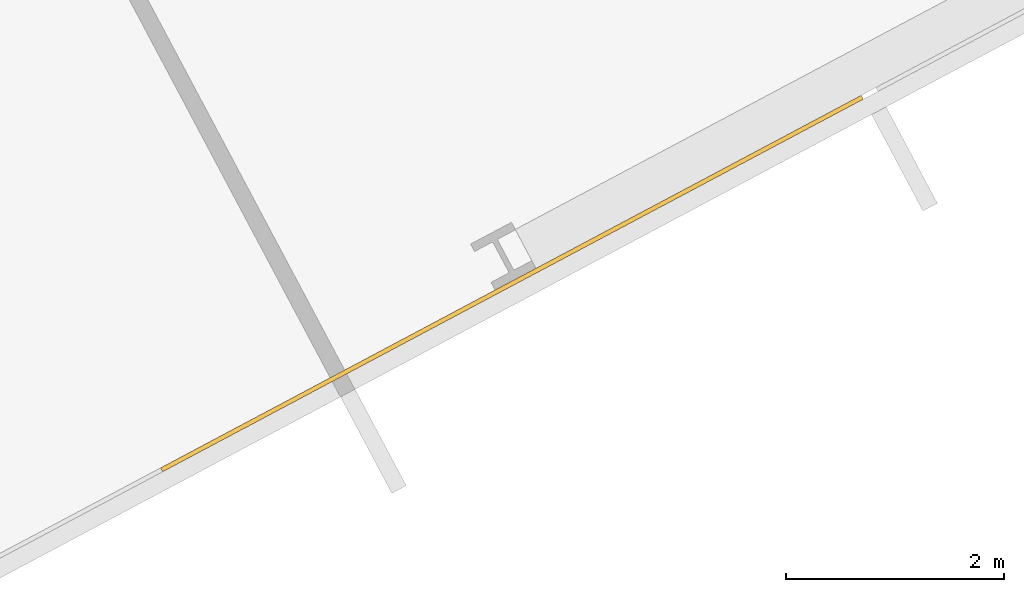
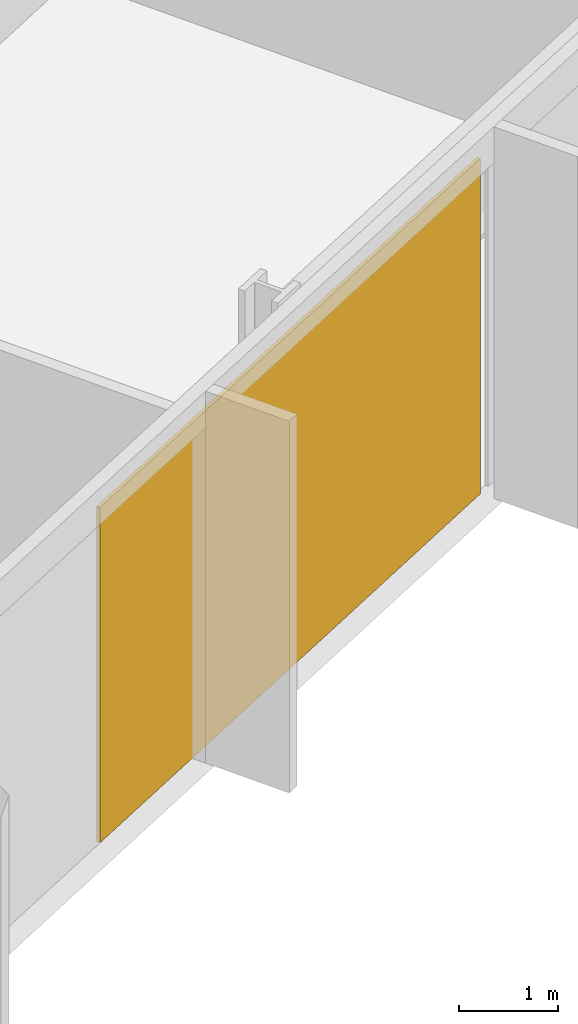
# One storey, part 28 of 31: 1 covering, 1 element without a shape of its own.
"""IFC4 building model written with IfcOpenShell, lengths in metres."""

from ifc_helpers import new_model, si_unit, direction, frame, origin, origin_2d, place, context, subcontext, project, spatial, rectangle, extrude, material, layer, layer_set, type_object, element, aggregate, save


model = new_model("IFC4")

# Units and contexts
model_context = context("Model", 3, precision=1e-05, world=origin(), true_north=direction((0.0, 1.0)))
body_context = subcontext(model_context, "Body", "Model", "MODEL_VIEW")
ifc_project = project(units=[si_unit("LENGTHUNIT", "METRE"), si_unit("AREAUNIT", "SQUARE_METRE"), si_unit("VOLUMEUNIT", "CUBIC_METRE"), si_unit("PLANEANGLEUNIT", "RADIAN"), si_unit("MASSUNIT", "GRAM", prefix="KILO")], contexts=[model_context])

# Site, building, storey
site_placement = place(None, origin())
site = spatial("IfcSite", under=ifc_project, at=site_placement, CompositionType="ELEMENT")
building_placement = place(site_placement, origin())
building = spatial("IfcBuilding", under=site, at=building_placement, Name="Cormorant Relay Tower", CompositionType="ELEMENT")
storey_placement = place(building_placement, frame((0.0, 0.0, 103.0)))
storey = spatial("IfcBuildingStorey", under=building, at=storey_placement, Name="L20", CompositionType="ELEMENT", Elevation=103.0)

# Curtain wall, covering
ifc_material_1 = material(Name="Aluminium 6063-T6 anodised bronze", Category="aluminium")
ifc_layer_1 = layer(ifc_material_1, 0.199951171875)
ifc_layer_set_1 = layer_set([ifc_layer_1], Name="CW1 unitised bronze curtain wall with vertical fins")
curtain_wall_type = type_object("IfcCurtainWallType", Name="CW1 unitised bronze curtain wall with vertical fins", PredefinedType="NOTDEFINED", material=ifc_layer_set_1)
curtain_wall_placement = place(storey_placement, origin())
curtain_wall = element("IfcCurtainWall", 1, at=curtain_wall_placement, inside=storey, type_object=curtain_wall_type, Name="CW1 curtain wall 2", PredefinedType="NOTDEFINED")
ifc_material_2 = material(Name="Pale bronze anodised aluminium insulated panel", Category="aluminium")
ifc_layer_2 = layer(ifc_material_2, 0.0400390625)
ifc_layer_set_2 = layer_set([ifc_layer_2], Name="CW1 pale bronze insulated panel 40")
covering_type = type_object("IfcCoveringType", Name="CW1 pale bronze insulated panel 40", PredefinedType="CLADDING", material=ifc_layer_set_2)
covering_placement = place(storey_placement, frame((52.914306640625, 4.328369140625, 0.0), z_axis=(0.0, 0.0, 1.0), x_axis=(0.882947592859, 0.469471562786, 0.0)))
covering = element("IfcCovering", 2, at=covering_placement, type_object=covering_type, Name="CW1 panel S11", PredefinedType="CLADDING", context=body_context, shape_type="SweptSolid", body=[
    extrude(rectangle(XDim=7.273681640625, YDim=0.0400390625, at=origin_2d()), origin(), (0.0, 0.0, 1.0), 4.14990234375),
])
aggregate(curtain_wall, [covering])

save(model, "model.ifc")
